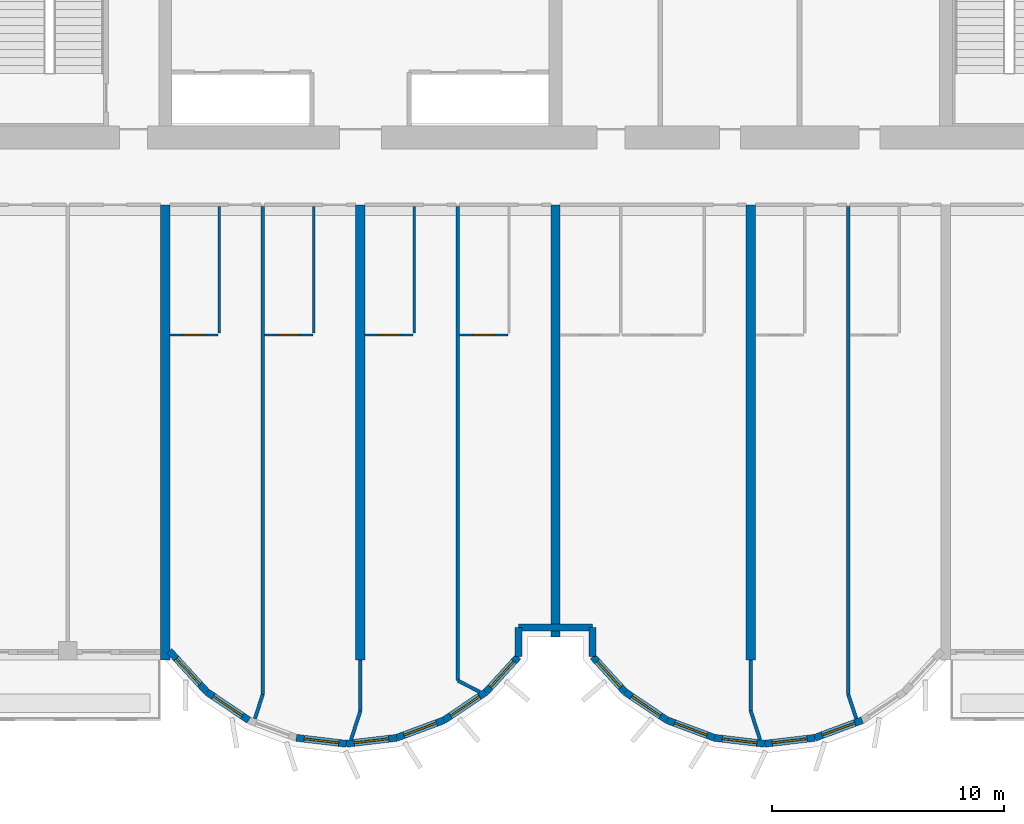
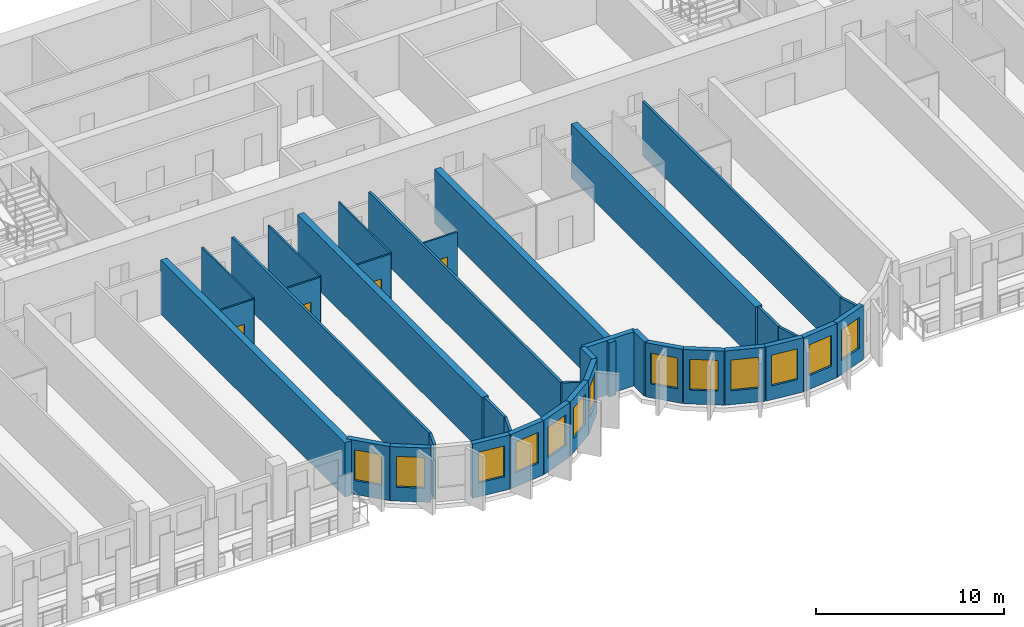
# One storey, part 4 of 14: 37 walls, 13 windows, 4 doors, 17 openings.
"""IFC4 building model written with IfcOpenShell, lengths in metres."""

from ifc_helpers import new_model, si_unit, direction, frame, frame_2d, origin, place, context, subcontext, project, spatial, rectangle, extrude, source, transform, mapped, material, layer, layer_set, type_object, element, fill, save


model = new_model("IFC4")

# Units and contexts
model_context = context("Model", 3, precision=1e-05, world=origin(), true_north=direction((0.0, 1.0)))
body_context = subcontext(model_context, "Body", "Model", "MODEL_VIEW")
ifc_project = project(units=[si_unit("LENGTHUNIT", "METRE"), si_unit("AREAUNIT", "SQUARE_METRE"), si_unit("VOLUMEUNIT", "CUBIC_METRE"), si_unit("PLANEANGLEUNIT", "RADIAN"), si_unit("MASSUNIT", "GRAM", prefix="KILO")], contexts=[model_context])

# Site, building, storey
site_placement = place(None, origin())
site = spatial("IfcSite", under=ifc_project, at=site_placement, CompositionType="ELEMENT")
building_placement = place(site_placement, origin())
building = spatial("IfcBuilding", under=site, at=building_placement, Name="Vanashikhar Sky Hotel", CompositionType="ELEMENT")
storey_placement = place(building_placement, frame((0.0, 0.0, 73.39990234375)))
storey = spatial("IfcBuildingStorey", under=building, at=storey_placement, Name="L17", CompositionType="ELEMENT", Elevation=73.39990234375)

# Walls
ifc_material_1 = material(Name="Concrete M80", Category="concrete")
ifc_layer_1 = layer(ifc_material_1, 0.39990234375)
ifc_layer_set_1 = layer_set([ifc_layer_1], Name="RC shear wall 400 Concrete M80")
wall_type_1 = type_object("IfcWallType", Name="RC shear wall 400 Concrete M80", PredefinedType="SHEAR", material=ifc_layer_set_1)
shared_shape_1 = source(origin(), body_context, "Body", "SweptSolid", [
    extrude(rectangle(XDim=19.60009765625, YDim=0.39990234375, at=frame_2d((9.800048828125, 0.0))), origin(), (0.0, 0.0, 1.0), 3.52001953125),
])
for number, where, z_axis, x_axis, name in (
    (1, (33.60009765625, 0.0, 0.0), (0.0, 0.0, 1.0), (0.0, 1.0, 0.0), "CW-L17-XW05-1"),
    (2, (42.0, 0.0, 0.0), (0.0, 0.0, 1.0), (0.0, 1.0, 0.0), "CW-L17-XW06-1"),
    (3, (58.800048828125, 0.0, 0.0), (0.0, 0.0, 1.0), (0.0, 1.0, 0.0), "CW-L17-XW08-1"),
):
    element("IfcWall", number, at=place(storey_placement, frame(where, z_axis=z_axis, x_axis=x_axis)), inside=storey, type_object=wall_type_1, Name=name, PredefinedType="SHEAR", context=body_context, shape_type="MappedRepresentation", body=[
        mapped(shared_shape_1, transform((0.0, 0.0, 0.0), scale=1.0)),
    ])
shared_shape_2 = source(origin(), body_context, "Body", "SweptSolid", [
    extrude(rectangle(XDim=18.60009765625, YDim=0.39990234375, at=frame_2d((9.300048828125, 0.0))), origin(), (0.0, 0.0, 1.0), 3.52001953125),
])
wall_1_placement = place(storey_placement, frame((50.39990234375, 1.0, 0.0), z_axis=(0.0, 0.0, 1.0), x_axis=(0.0, 1.0, 0.0)))
element("IfcWall", 4, at=wall_1_placement, inside=storey, type_object=wall_type_1, Name="CW-L17-XW07-1", PredefinedType="SHEAR", context=body_context, shape_type="MappedRepresentation", body=[
    mapped(shared_shape_2, transform((0.0, 0.0, 0.0), scale=1.0)),
])

# Wall, opening, window
ifc_material_2 = material(Name="Concrete M50", Category="concrete")
ifc_layer_2 = layer(ifc_material_2, 0.300048828125)
ifc_layer_set_2 = layer_set([ifc_layer_2], Name="Lobe wall 300")
wall_type_2 = type_object("IfcWallType", Name="Lobe wall 300", PredefinedType="SOLIDWALL", material=ifc_layer_set_2)
shared_shape_3 = source(origin(), body_context, "Body", "SweptSolid", [
    extrude(rectangle(XDim=2.398193359375, YDim=0.300048828125, at=frame_2d((1.19921875, 0.0))), origin(), (0.0, 0.0, 1.0), 3.52001953125),
])
wall_2_placement = place(storey_placement, frame((33.776123046875, 0.39990234375, 0.0), z_axis=(0.0, 0.0, 1.0), x_axis=(0.675374189419, -0.737475222815, 0.0)))
wall_2 = element("IfcWall", 5, at=wall_2_placement, inside=storey, type_object=wall_type_2, Name="Lobe wall", PredefinedType="SOLIDWALL", context=body_context, shape_type="MappedRepresentation", body=[
    mapped(shared_shape_3, transform((0.0, 0.0, 0.0), scale=1.0)),
])
shared_shape_4 = source(origin(), body_context, "Body", "SweptSolid", [
    extrude(rectangle(XDim=1.5, YDim=2.0, at=frame_2d((0.75, 1.0))), frame((0.0, 0.16015625, 0.0), z_axis=(0.0, -1.0, 0.0), x_axis=(1.0, 0.0, 0.0)), (0.0, 0.0, 1.0), 0.320068359375),
])
opening_1_placement = place(wall_2_placement, frame((0.44921875, 0.0, 0.89990234375)))
opening_1 = element("IfcOpeningElement", 6, at=opening_1_placement, cuts=wall_2, Name="Opening WN-2", PredefinedType="OPENING", context=body_context, shape_type="MappedRepresentation", body=[
    mapped(shared_shape_4, transform((0.0, 0.0, 0.0), scale=1.0)),
])
ifc_material_3 = material(Name="Glass", Category="glass")
window_type = type_object("IfcWindowType", Name="Lobe window 1500 x 2000", PartitioningType="SINGLE_PANEL", PredefinedType="WINDOW", material=ifc_material_3)
shared_shape_5 = source(origin(), body_context, "Body", "SweptSolid", [
    extrude(rectangle(XDim=1.5, YDim=2.0, at=frame_2d((0.75, 1.0))), frame((0.0, 0.030029296875, 0.0), z_axis=(0.0, -1.0, 0.0), x_axis=(1.0, 0.0, 0.0)), (0.0, 0.0, 1.0), 0.06005859375),
])
window_1_placement = place(opening_1_placement, origin())
window_1 = element("IfcWindow", 7, at=window_1_placement, inside=storey, type_object=window_type, Name="Window WN-2", OverallHeight=2.0, OverallWidth=1.5, PartitioningType="SINGLE_PANEL", PredefinedType="WINDOW", context=body_context, shape_type="MappedRepresentation", body=[
    mapped(shared_shape_5, transform((0.0, 0.0, 0.0), scale=1.0)),
])
fill(opening_1, window_1)

shared_shape_6 = source(origin(), body_context, "Body", "SweptSolid", [
    extrude(rectangle(XDim=2.17578125, YDim=0.300048828125, at=frame_2d((1.087890625, 0.0))), origin(), (0.0, 0.0, 1.0), 3.52001953125),
])
wall_3_placement = place(storey_placement, frame((35.395751953125, -1.36865234375, 0.0), z_axis=(0.0, 0.0, 1.0), x_axis=(0.829590746428, -0.558371913192, 0.0)))
wall_3 = element("IfcWall", 8, at=wall_3_placement, inside=storey, type_object=wall_type_2, Name="Lobe wall", PredefinedType="SOLIDWALL", context=body_context, shape_type="MappedRepresentation", body=[
    mapped(shared_shape_6, transform((0.0, 0.0, 0.0), scale=1.0)),
])
opening_2_placement = place(wall_3_placement, frame((0.337890625, 0.0, 0.89990234375)))
opening_2 = element("IfcOpeningElement", 9, at=opening_2_placement, cuts=wall_3, Name="Opening WN-2", PredefinedType="OPENING", context=body_context, shape_type="MappedRepresentation", body=[
    mapped(shared_shape_4, transform((0.0, 0.0, 0.0), scale=1.0)),
])
window_2_placement = place(opening_2_placement, origin())
window_2 = element("IfcWindow", 10, at=window_2_placement, inside=storey, type_object=window_type, Name="Window WN-2", OverallHeight=2.0, OverallWidth=1.5, PartitioningType="SINGLE_PANEL", PredefinedType="WINDOW", context=body_context, shape_type="MappedRepresentation", body=[
    mapped(shared_shape_5, transform((0.0, 0.0, 0.0), scale=1.0)),
])
fill(opening_2, window_2)

wall_4_placement = place(storey_placement, frame((45.59912109375, -2.58349609375, 0.0), z_axis=(0.0, 0.0, 1.0), x_axis=(0.829625727223, 0.558319937607, 0.0)))
wall_4 = element("IfcWall", 11, at=wall_4_placement, inside=storey, type_object=wall_type_2, Name="Lobe wall", PredefinedType="SOLIDWALL", context=body_context, shape_type="MappedRepresentation", body=[
    mapped(shared_shape_6, transform((0.0, 0.0, 0.0), scale=1.0)),
])
opening_3_placement = place(wall_4_placement, frame((0.337890625, 0.0, 0.89990234375)))
opening_3 = element("IfcOpeningElement", 12, at=opening_3_placement, cuts=wall_4, Name="Opening WN-2", PredefinedType="OPENING", context=body_context, shape_type="MappedRepresentation", body=[
    mapped(shared_shape_4, transform((0.0, 0.0, 0.0), scale=1.0)),
])
window_3_placement = place(opening_3_placement, origin())
window_3 = element("IfcWindow", 13, at=window_3_placement, inside=storey, type_object=window_type, Name="Window WN-2", OverallHeight=2.0, OverallWidth=1.5, PartitioningType="SINGLE_PANEL", PredefinedType="WINDOW", context=body_context, shape_type="MappedRepresentation", body=[
    mapped(shared_shape_5, transform((0.0, 0.0, 0.0), scale=1.0)),
])
fill(opening_3, window_3)

wall_5_placement = place(storey_placement, frame((53.395751953125, -1.36865234375, 0.0), z_axis=(0.0, 0.0, 1.0), x_axis=(0.829590746428, -0.558371913192, 0.0)))
wall_5 = element("IfcWall", 14, at=wall_5_placement, inside=storey, type_object=wall_type_2, Name="Lobe wall", PredefinedType="SOLIDWALL", context=body_context, shape_type="MappedRepresentation", body=[
    mapped(shared_shape_6, transform((0.0, 0.0, 0.0), scale=1.0)),
])
opening_4_placement = place(wall_5_placement, frame((0.337890625, 0.0, 0.89990234375)))
opening_4 = element("IfcOpeningElement", 15, at=opening_4_placement, cuts=wall_5, Name="Opening WN-2", PredefinedType="OPENING", context=body_context, shape_type="MappedRepresentation", body=[
    mapped(shared_shape_4, transform((0.0, 0.0, 0.0), scale=1.0)),
])
window_4_placement = place(opening_4_placement, origin())
window_4 = element("IfcWindow", 16, at=window_4_placement, inside=storey, type_object=window_type, Name="Window WN-2", OverallHeight=2.0, OverallWidth=1.5, PartitioningType="SINGLE_PANEL", PredefinedType="WINDOW", context=body_context, shape_type="MappedRepresentation", body=[
    mapped(shared_shape_5, transform((0.0, 0.0, 0.0), scale=1.0)),
])
fill(opening_4, window_4)

wall_6_placement = place(storey_placement, frame((55.20068359375, -2.58349609375, 0.0), z_axis=(0.0, 0.0, 1.0), x_axis=(0.93754555999, -0.347862505801, 0.0)))
wall_6 = element("IfcWall", 17, at=wall_6_placement, inside=storey, type_object=wall_type_2, Name="Lobe wall", PredefinedType="SOLIDWALL", context=body_context, shape_type="MappedRepresentation", body=[
    mapped(shared_shape_6, transform((0.0, 0.0, 0.0), scale=1.0)),
])
opening_5_placement = place(wall_6_placement, frame((0.337890625, 0.0, 0.89990234375)))
opening_5 = element("IfcOpeningElement", 18, at=opening_5_placement, cuts=wall_6, Name="Opening WN-2", PredefinedType="OPENING", context=body_context, shape_type="MappedRepresentation", body=[
    mapped(shared_shape_4, transform((0.0, 0.0, 0.0), scale=1.0)),
])
window_5_placement = place(opening_5_placement, origin())
window_5 = element("IfcWindow", 19, at=window_5_placement, inside=storey, type_object=window_type, Name="Window WN-2", OverallHeight=2.0, OverallWidth=1.5, PartitioningType="SINGLE_PANEL", PredefinedType="WINDOW", context=body_context, shape_type="MappedRepresentation", body=[
    mapped(shared_shape_5, transform((0.0, 0.0, 0.0), scale=1.0)),
])
fill(opening_5, window_5)

shared_shape_7 = source(origin(), body_context, "Body", "SweptSolid", [
    extrude(rectangle(XDim=2.174560546875, YDim=0.300048828125, at=frame_2d((1.08740234375, 0.0))), origin(), (0.0, 0.0, 1.0), 3.52001953125),
])
wall_7_placement = place(storey_placement, frame((39.240478515625, -3.34033203125, 0.0), z_axis=(0.0, 0.0, 1.0), x_axis=(0.993001132889, -0.118104826659, 0.0)))
wall_7 = element("IfcWall", 20, at=wall_7_placement, inside=storey, type_object=wall_type_2, Name="Lobe wall", PredefinedType="SOLIDWALL", context=body_context, shape_type="MappedRepresentation", body=[
    mapped(shared_shape_7, transform((0.0, 0.0, 0.0), scale=1.0)),
])
opening_6_placement = place(wall_7_placement, frame((0.33740234375, 0.0, 0.89990234375)))
opening_6 = element("IfcOpeningElement", 21, at=opening_6_placement, cuts=wall_7, Name="Opening WN-2", PredefinedType="OPENING", context=body_context, shape_type="MappedRepresentation", body=[
    mapped(shared_shape_4, transform((0.0, 0.0, 0.0), scale=1.0)),
])
window_6_placement = place(opening_6_placement, origin())
window_6 = element("IfcWindow", 22, at=window_6_placement, inside=storey, type_object=window_type, Name="Window WN-2", OverallHeight=2.0, OverallWidth=1.5, PartitioningType="SINGLE_PANEL", PredefinedType="WINDOW", context=body_context, shape_type="MappedRepresentation", body=[
    mapped(shared_shape_5, transform((0.0, 0.0, 0.0), scale=1.0)),
])
fill(opening_6, window_6)

wall_8_placement = place(storey_placement, frame((57.240478515625, -3.34033203125, 0.0), z_axis=(0.0, 0.0, 1.0), x_axis=(0.993001132889, -0.118104826659, 0.0)))
wall_8 = element("IfcWall", 23, at=wall_8_placement, inside=storey, type_object=wall_type_2, Name="Lobe wall", PredefinedType="SOLIDWALL", context=body_context, shape_type="MappedRepresentation", body=[
    mapped(shared_shape_7, transform((0.0, 0.0, 0.0), scale=1.0)),
])
opening_7_placement = place(wall_8_placement, frame((0.33740234375, 0.0, 0.89990234375)))
opening_7 = element("IfcOpeningElement", 24, at=opening_7_placement, cuts=wall_8, Name="Opening WN-2", PredefinedType="OPENING", context=body_context, shape_type="MappedRepresentation", body=[
    mapped(shared_shape_4, transform((0.0, 0.0, 0.0), scale=1.0)),
])
window_7_placement = place(opening_7_placement, origin())
window_7 = element("IfcWindow", 25, at=window_7_placement, inside=storey, type_object=window_type, Name="Window WN-2", OverallHeight=2.0, OverallWidth=1.5, PartitioningType="SINGLE_PANEL", PredefinedType="WINDOW", context=body_context, shape_type="MappedRepresentation", body=[
    mapped(shared_shape_5, transform((0.0, 0.0, 0.0), scale=1.0)),
])
fill(opening_7, window_7)

shared_shape_8 = source(origin(), body_context, "Body", "SweptSolid", [
    extrude(rectangle(XDim=2.1748046875, YDim=0.300048828125, at=frame_2d((1.08740234375, 0.0))), origin(), (0.0, 0.0, 1.0), 3.52001953125),
])
wall_9_placement = place(storey_placement, frame((41.39990234375, -3.59716796875, 0.0), z_axis=(0.0, 0.0, 1.0), x_axis=(0.993002698611, 0.118091661648, 0.0)))
wall_9 = element("IfcWall", 26, at=wall_9_placement, inside=storey, type_object=wall_type_2, Name="Lobe wall", PredefinedType="SOLIDWALL", context=body_context, shape_type="MappedRepresentation", body=[
    mapped(shared_shape_8, transform((0.0, 0.0, 0.0), scale=1.0)),
])
opening_8_placement = place(wall_9_placement, frame((0.33740234375, 0.0, 0.89990234375)))
opening_8 = element("IfcOpeningElement", 27, at=opening_8_placement, cuts=wall_9, Name="Opening WN-2", PredefinedType="OPENING", context=body_context, shape_type="MappedRepresentation", body=[
    mapped(shared_shape_4, transform((0.0, 0.0, 0.0), scale=1.0)),
])
window_8_placement = place(opening_8_placement, origin())
window_8 = element("IfcWindow", 28, at=window_8_placement, inside=storey, type_object=window_type, Name="Window WN-2", OverallHeight=2.0, OverallWidth=1.5, PartitioningType="SINGLE_PANEL", PredefinedType="WINDOW", context=body_context, shape_type="MappedRepresentation", body=[
    mapped(shared_shape_5, transform((0.0, 0.0, 0.0), scale=1.0)),
])
fill(opening_8, window_8)

wall_10_placement = place(storey_placement, frame((59.39990234375, -3.59716796875, 0.0), z_axis=(0.0, 0.0, 1.0), x_axis=(0.993002698611, 0.118091661648, 0.0)))
wall_10 = element("IfcWall", 29, at=wall_10_placement, inside=storey, type_object=wall_type_2, Name="Lobe wall", PredefinedType="SOLIDWALL", context=body_context, shape_type="MappedRepresentation", body=[
    mapped(shared_shape_8, transform((0.0, 0.0, 0.0), scale=1.0)),
])
opening_9_placement = place(wall_10_placement, frame((0.33740234375, 0.0, 0.89990234375)))
opening_9 = element("IfcOpeningElement", 30, at=opening_9_placement, cuts=wall_10, Name="Opening WN-2", PredefinedType="OPENING", context=body_context, shape_type="MappedRepresentation", body=[
    mapped(shared_shape_4, transform((0.0, 0.0, 0.0), scale=1.0)),
])
window_9_placement = place(opening_9_placement, origin())
window_9 = element("IfcWindow", 31, at=window_9_placement, inside=storey, type_object=window_type, Name="Window WN-2", OverallHeight=2.0, OverallWidth=1.5, PartitioningType="SINGLE_PANEL", PredefinedType="WINDOW", context=body_context, shape_type="MappedRepresentation", body=[
    mapped(shared_shape_5, transform((0.0, 0.0, 0.0), scale=1.0)),
])
fill(opening_9, window_9)

shared_shape_9 = source(origin(), body_context, "Body", "SweptSolid", [
    extrude(rectangle(XDim=2.175537109375, YDim=0.300048828125, at=frame_2d((1.087890625, 0.0))), origin(), (0.0, 0.0, 1.0), 3.52001953125),
])
wall_11_placement = place(storey_placement, frame((43.5595703125, -3.34033203125, 0.0), z_axis=(0.0, 0.0, 1.0), x_axis=(0.937531979054, 0.347899106424, 0.0)))
wall_11 = element("IfcWall", 32, at=wall_11_placement, inside=storey, type_object=wall_type_2, Name="Lobe wall", PredefinedType="SOLIDWALL", context=body_context, shape_type="MappedRepresentation", body=[
    mapped(shared_shape_9, transform((0.0, 0.0, 0.0), scale=1.0)),
])
opening_10_placement = place(wall_11_placement, frame((0.337890625, 0.0, 0.89990234375)))
opening_10 = element("IfcOpeningElement", 33, at=opening_10_placement, cuts=wall_11, Name="Opening WN-2", PredefinedType="OPENING", context=body_context, shape_type="MappedRepresentation", body=[
    mapped(shared_shape_4, transform((0.0, 0.0, 0.0), scale=1.0)),
])
window_10_placement = place(opening_10_placement, origin())
window_10 = element("IfcWindow", 34, at=window_10_placement, inside=storey, type_object=window_type, Name="Window WN-2", OverallHeight=2.0, OverallWidth=1.5, PartitioningType="SINGLE_PANEL", PredefinedType="WINDOW", context=body_context, shape_type="MappedRepresentation", body=[
    mapped(shared_shape_5, transform((0.0, 0.0, 0.0), scale=1.0)),
])
fill(opening_10, window_10)

wall_12_placement = place(storey_placement, frame((61.5595703125, -3.34033203125, 0.0), z_axis=(0.0, 0.0, 1.0), x_axis=(0.937531979054, 0.347899106424, 0.0)))
wall_12 = element("IfcWall", 35, at=wall_12_placement, inside=storey, type_object=wall_type_2, Name="Lobe wall", PredefinedType="SOLIDWALL", context=body_context, shape_type="MappedRepresentation", body=[
    mapped(shared_shape_9, transform((0.0, 0.0, 0.0), scale=1.0)),
])
opening_11_placement = place(wall_12_placement, frame((0.337890625, 0.0, 0.89990234375)))
opening_11 = element("IfcOpeningElement", 36, at=opening_11_placement, cuts=wall_12, Name="Opening WN-2", PredefinedType="OPENING", context=body_context, shape_type="MappedRepresentation", body=[
    mapped(shared_shape_4, transform((0.0, 0.0, 0.0), scale=1.0)),
])
window_11_placement = place(opening_11_placement, origin())
window_11 = element("IfcWindow", 37, at=window_11_placement, inside=storey, type_object=window_type, Name="Window WN-2", OverallHeight=2.0, OverallWidth=1.5, PartitioningType="SINGLE_PANEL", PredefinedType="WINDOW", context=body_context, shape_type="MappedRepresentation", body=[
    mapped(shared_shape_5, transform((0.0, 0.0, 0.0), scale=1.0)),
])
fill(opening_11, window_11)

shared_shape_10 = source(origin(), body_context, "Body", "SweptSolid", [
    extrude(rectangle(XDim=2.066650390625, YDim=0.300048828125, at=frame_2d((1.033203125, 0.0))), origin(), (0.0, 0.0, 1.0), 3.52001953125),
])
wall_13_placement = place(storey_placement, frame((47.404296875, -1.36865234375, 0.0), z_axis=(0.0, 0.0, 1.0), x_axis=(0.675355439877, 0.737492393065, 0.0)))
wall_13 = element("IfcWall", 38, at=wall_13_placement, inside=storey, type_object=wall_type_2, Name="Lobe wall", PredefinedType="SOLIDWALL", context=body_context, shape_type="MappedRepresentation", body=[
    mapped(shared_shape_10, transform((0.0, 0.0, 0.0), scale=1.0)),
])
opening_12_placement = place(wall_13_placement, frame((0.283447265625, 0.0, 0.89990234375)))
opening_12 = element("IfcOpeningElement", 39, at=opening_12_placement, cuts=wall_13, Name="Opening WN-2", PredefinedType="OPENING", context=body_context, shape_type="MappedRepresentation", body=[
    mapped(shared_shape_4, transform((0.0, 0.0, 0.0), scale=1.0)),
])
window_12_placement = place(opening_12_placement, origin())
window_12 = element("IfcWindow", 40, at=window_12_placement, inside=storey, type_object=window_type, Name="Window WN-2", OverallHeight=2.0, OverallWidth=1.5, PartitioningType="SINGLE_PANEL", PredefinedType="WINDOW", context=body_context, shape_type="MappedRepresentation", body=[
    mapped(shared_shape_5, transform((0.0, 0.0, 0.0), scale=1.0)),
])
fill(opening_12, window_12)

wall_14_placement = place(storey_placement, frame((52.0, 0.155517578125, 0.0), z_axis=(0.0, 0.0, 1.0), x_axis=(0.675355439877, -0.737492393065, 0.0)))
wall_14 = element("IfcWall", 41, at=wall_14_placement, inside=storey, type_object=wall_type_2, Name="Lobe wall", PredefinedType="SOLIDWALL", context=body_context, shape_type="MappedRepresentation", body=[
    mapped(shared_shape_10, transform((0.0, 0.0, 0.0), scale=1.0)),
])
opening_13_placement = place(wall_14_placement, frame((0.283447265625, 0.0, 0.89990234375)))
opening_13 = element("IfcOpeningElement", 42, at=opening_13_placement, cuts=wall_14, Name="Opening WN-2", PredefinedType="OPENING", context=body_context, shape_type="MappedRepresentation", body=[
    mapped(shared_shape_4, transform((0.0, 0.0, 0.0), scale=1.0)),
])
window_13_placement = place(opening_13_placement, origin())
window_13 = element("IfcWindow", 43, at=window_13_placement, inside=storey, type_object=window_type, Name="Window WN-2", OverallHeight=2.0, OverallWidth=1.5, PartitioningType="SINGLE_PANEL", PredefinedType="WINDOW", context=body_context, shape_type="MappedRepresentation", body=[
    mapped(shared_shape_5, transform((0.0, 0.0, 0.0), scale=1.0)),
])
fill(opening_13, window_13)

# Walls
shared_shape_11 = source(origin(), body_context, "Body", "SweptSolid", [
    extrude(rectangle(XDim=1.244384765625, YDim=0.300048828125, at=frame_2d((0.6220703125, 0.0))), origin(), (0.0, 0.0, 1.0), 3.52001953125),
])
for number, where, z_axis, x_axis, name in (
    (44, (48.800048828125, 0.155517578125, 0.0), (0.0, 0.0, 1.0), (0.0, 1.0, 0.0), "Groove wall"),
    (45, (52.0, 1.39990234375, 0.0), (0.0, 0.0, 1.0), (0.0, -1.0, 0.0), "Groove wall"),
):
    element("IfcWall", number, at=place(storey_placement, frame(where, z_axis=z_axis, x_axis=x_axis)), inside=storey, type_object=wall_type_2, Name=name, PredefinedType="SOLIDWALL", context=body_context, shape_type="MappedRepresentation", body=[
        mapped(shared_shape_11, transform((0.0, 0.0, 0.0), scale=1.0)),
    ])
shared_shape_12 = source(origin(), body_context, "Body", "SweptSolid", [
    extrude(rectangle(XDim=3.199951171875, YDim=0.300048828125, at=frame_2d((1.60009765625, 0.0))), origin(), (0.0, 0.0, 1.0), 3.52001953125),
])
wall_15_placement = place(storey_placement, frame((48.800048828125, 1.39990234375, 0.0), z_axis=(0.0, 0.0, 1.0), x_axis=(1.0, 0.0, 0.0)))
element("IfcWall", 46, at=wall_15_placement, inside=storey, type_object=wall_type_2, Name="Groove wall", PredefinedType="SOLIDWALL", context=body_context, shape_type="MappedRepresentation", body=[
    mapped(shared_shape_12, transform((0.0, 0.0, 0.0), scale=1.0)),
])
ifc_material_4 = material(Name="Gypsum plasterboard partition")
ifc_layer_3 = layer(ifc_material_4, 0.14990234375)
ifc_layer_set_3 = layer_set([ifc_layer_3], Name="Corridor and demising partition 150")
wall_type_3 = type_object("IfcWallType", Name="Corridor and demising partition 150", PredefinedType="PARTITIONING", material=ifc_layer_set_3)
shared_shape_13 = source(origin(), body_context, "Body", "SweptSolid", [
    extrude(rectangle(XDim=20.997802734375, YDim=0.14990234375, at=frame_2d((10.4990234375, 0.0))), origin(), (0.0, 0.0, 1.0), 3.52001953125),
])
for number, where, z_axis, x_axis, name in (
    (47, (37.800048828125, -1.472900390625, 0.0), (0.0, 0.0, 1.0), (0.0, 1.0, 0.0), "W-L17-PW029"),
    (48, (63.0, -1.472900390625, 0.0), (0.0, 0.0, 1.0), (0.0, 1.0, 0.0), "W-L17-PW048"),
):
    element("IfcWall", number, at=place(storey_placement, frame(where, z_axis=z_axis, x_axis=x_axis)), inside=storey, type_object=wall_type_3, Name=name, PredefinedType="PARTITIONING", context=body_context, shape_type="MappedRepresentation", body=[
        mapped(shared_shape_13, transform((0.0, 0.0, 0.0), scale=1.0)),
    ])
shared_shape_14 = source(origin(), body_context, "Body", "SweptSolid", [
    extrude(rectangle(XDim=20.406005859375, YDim=0.14990234375, at=frame_2d((10.203125, 0.0))), origin(), (0.0, 0.0, 1.0), 3.52001953125),
])
wall_16_placement = place(storey_placement, frame((46.199951171875, -0.881103515625, 0.0), z_axis=(0.0, 0.0, 1.0), x_axis=(0.0, 1.0, 0.0)))
element("IfcWall", 49, at=wall_16_placement, inside=storey, type_object=wall_type_3, Name="W-L17-PW036", PredefinedType="PARTITIONING", context=body_context, shape_type="MappedRepresentation", body=[
    mapped(shared_shape_14, transform((0.0, 0.0, 0.0), scale=1.0)),
])
shared_shape_15 = source(origin(), body_context, "Body", "SweptSolid", [
    extrude(rectangle(XDim=2.177978515625, YDim=0.14990234375, at=frame_2d((1.0888671875, 0.0))), origin(), (0.0, 0.0, 1.0), 3.52001953125),
])
for number, where, z_axis, x_axis, name in (
    (50, (42.0, -2.177978515625, 0.0), (0.0, 0.0, 1.0), (0.0, 1.0, 0.0), "W-L17-PW069"),
    (51, (58.800048828125, -2.177978515625, 0.0), (0.0, 0.0, 1.0), (0.0, 1.0, 0.0), "W-L17-PW070"),
):
    element("IfcWall", number, at=place(storey_placement, frame(where, z_axis=z_axis, x_axis=x_axis)), inside=storey, type_object=wall_type_3, Name=name, PredefinedType="PARTITIONING", context=body_context, shape_type="MappedRepresentation", body=[
        mapped(shared_shape_15, transform((0.0, 0.0, 0.0), scale=1.0)),
    ])
shared_shape_16 = source(origin(), body_context, "Body", "SweptSolid", [
    extrude(rectangle(XDim=1.100830078125, YDim=0.14990234375, at=frame_2d((0.55029296875, 0.0))), origin(), (0.0, 0.0, 1.0), 3.52001953125),
])
for number, where, z_axis, x_axis, name in (
    (52, (37.45703125, -2.51904296875, 0.0), (0.0, 0.0, 1.0), (0.311567081539, 0.950224159712, 0.0), "W-L17-PW029B0"),
    (53, (63.343017578125, -2.51904296875, 0.0), (0.0, 0.0, 1.0), (-0.311567081539, 0.950224159712, 0.0), "W-L17-PW048B0"),
):
    element("IfcWall", number, at=place(storey_placement, frame(where, z_axis=z_axis, x_axis=x_axis)), inside=storey, type_object=wall_type_3, Name=name, PredefinedType="PARTITIONING", context=body_context, shape_type="MappedRepresentation", body=[
        mapped(shared_shape_16, transform((0.0, 0.0, 0.0), scale=1.0)),
    ])
shared_shape_17 = source(origin(), body_context, "Body", "SweptSolid", [
    extrude(rectangle(XDim=1.0576171875, YDim=0.14990234375, at=frame_2d((0.52880859375, 0.0))), origin(), (0.0, 0.0, 1.0), 3.52001953125),
])
wall_17_placement = place(storey_placement, frame((47.139892578125, -1.365966796875, 0.0), z_axis=(0.0, 0.0, 1.0), x_axis=(-0.888723819054, 0.458442988218, 0.0)))
element("IfcWall", 54, at=wall_17_placement, inside=storey, type_object=wall_type_3, Name="W-L17-PW036B0", PredefinedType="PARTITIONING", context=body_context, shape_type="MappedRepresentation", body=[
    mapped(shared_shape_17, transform((0.0, 0.0, 0.0), scale=1.0)),
])
shared_shape_18 = source(origin(), body_context, "Body", "SweptSolid", [
    extrude(rectangle(XDim=1.308349609375, YDim=0.14990234375, at=frame_2d((0.654296875, 0.0))), origin(), (0.0, 0.0, 1.0), 3.52001953125),
])
for number, where, z_axis, x_axis, name in (
    (55, (41.597900390625, -3.423095703125, 0.0), (0.0, 0.0, 1.0), (0.307313512187, 0.951608325535, 0.0), "W-L17-PW069B0"),
    (56, (59.201904296875, -3.423095703125, 0.0), (0.0, 0.0, 1.0), (-0.307144529633, 0.951662880392, 0.0), "W-L17-PW070B0"),
):
    element("IfcWall", number, at=place(storey_placement, frame(where, z_axis=z_axis, x_axis=x_axis)), inside=storey, type_object=wall_type_3, Name=name, PredefinedType="PARTITIONING", context=body_context, shape_type="MappedRepresentation", body=[
        mapped(shared_shape_18, transform((0.0, 0.0, 0.0), scale=1.0)),
    ])

# Wall, opening, door
ifc_layer_4 = layer(ifc_material_4, 0.10009765625)
ifc_layer_set_4 = layer_set([ifc_layer_4], Name="Wet room partition 100")
wall_type_4 = type_object("IfcWallType", Name="Wet room partition 100", PredefinedType="PARTITIONING", material=ifc_layer_set_4)
shared_shape_19 = source(origin(), body_context, "Body", "SweptSolid", [
    extrude(rectangle(XDim=2.074951171875, YDim=0.10009765625, at=frame_2d((1.03759765625, 0.0))), origin(), (0.0, 0.0, 1.0), 3.52001953125),
])
wall_18_placement = place(storey_placement, frame((33.800048828125, 14.0, 0.0), z_axis=(0.0, 0.0, 1.0), x_axis=(1.0, 0.0, 0.0)))
wall_18 = element("IfcWall", 57, at=wall_18_placement, inside=storey, type_object=wall_type_4, Name="W-L17-PW024", PredefinedType="PARTITIONING", context=body_context, shape_type="MappedRepresentation", body=[
    mapped(shared_shape_19, transform((0.0, 0.0, 0.0), scale=1.0)),
])
shared_shape_20 = source(origin(), body_context, "Body", "SweptSolid", [
    extrude(rectangle(XDim=0.89990234375, YDim=2.10009765625, at=frame_2d((0.449951171875, 1.050048828125))), frame((0.0, 0.06005859375, 0.0), z_axis=(0.0, -1.0, 0.0), x_axis=(1.0, 0.0, 0.0)), (0.0, 0.0, 1.0), 0.1201171875),
])
opening_14_placement = place(wall_18_placement, frame((0.5869140625, 0.0, 0.0)))
opening_14 = element("IfcOpeningElement", 58, at=opening_14_placement, cuts=wall_18, Name="Opening D-02", PredefinedType="OPENING", context=body_context, shape_type="MappedRepresentation", body=[
    mapped(shared_shape_20, transform((0.0, 0.0, 0.0), scale=1.0)),
])
ifc_material_5 = material(Name="Timber door", Category="wood")
door_type = type_object("IfcDoorType", Name="Internal door 900", OperationType="NOTDEFINED", PredefinedType="DOOR", material=ifc_material_5)
shared_shape_21 = source(origin(), body_context, "Body", "SweptSolid", [
    extrude(rectangle(XDim=0.89990234375, YDim=2.10009765625, at=frame_2d((0.449951171875, 1.050048828125))), frame((0.0, 0.02490234375, 0.0), z_axis=(0.0, -1.0, 0.0), x_axis=(1.0, 0.0, 0.0)), (0.0, 0.0, 1.0), 0.050048828125),
])
door_1_placement = place(opening_14_placement, origin())
door_1 = element("IfcDoor", 59, at=door_1_placement, inside=storey, type_object=door_type, Name="D-L17-014", OperationType="SINGLE_SWING_RIGHT", OverallHeight=2.10009765625, OverallWidth=0.89990234375, PredefinedType="DOOR", context=body_context, shape_type="MappedRepresentation", body=[
    mapped(shared_shape_21, transform((0.0, 0.0, 0.0), scale=1.0)),
])
fill(opening_14, door_1)

wall_19_placement = place(storey_placement, frame((37.875, 14.0, 0.0), z_axis=(0.0, 0.0, 1.0), x_axis=(1.0, 0.0, 0.0)))
wall_19 = element("IfcWall", 60, at=wall_19_placement, inside=storey, type_object=wall_type_4, Name="W-L17-PW027", PredefinedType="PARTITIONING", context=body_context, shape_type="MappedRepresentation", body=[
    mapped(shared_shape_19, transform((0.0, 0.0, 0.0), scale=1.0)),
])
opening_15_placement = place(wall_19_placement, frame((0.5869140625, 0.0, 0.0)))
opening_15 = element("IfcOpeningElement", 61, at=opening_15_placement, cuts=wall_19, Name="Opening D-02", PredefinedType="OPENING", context=body_context, shape_type="MappedRepresentation", body=[
    mapped(shared_shape_20, transform((0.0, 0.0, 0.0), scale=1.0)),
])
door_2_placement = place(opening_15_placement, origin())
door_2 = element("IfcDoor", 62, at=door_2_placement, inside=storey, type_object=door_type, Name="D-L17-016", OperationType="SINGLE_SWING_RIGHT", OverallHeight=2.10009765625, OverallWidth=0.89990234375, PredefinedType="DOOR", context=body_context, shape_type="MappedRepresentation", body=[
    mapped(shared_shape_21, transform((0.0, 0.0, 0.0), scale=1.0)),
])
fill(opening_15, door_2)

wall_20_placement = place(storey_placement, frame((42.199951171875, 14.0, 0.0), z_axis=(0.0, 0.0, 1.0), x_axis=(1.0, 0.0, 0.0)))
wall_20 = element("IfcWall", 63, at=wall_20_placement, inside=storey, type_object=wall_type_4, Name="W-L17-PW031", PredefinedType="PARTITIONING", context=body_context, shape_type="MappedRepresentation", body=[
    mapped(shared_shape_19, transform((0.0, 0.0, 0.0), scale=1.0)),
])
opening_16_placement = place(wall_20_placement, frame((0.5869140625, 0.0, 0.0)))
opening_16 = element("IfcOpeningElement", 64, at=opening_16_placement, cuts=wall_20, Name="Opening D-02", PredefinedType="OPENING", context=body_context, shape_type="MappedRepresentation", body=[
    mapped(shared_shape_20, transform((0.0, 0.0, 0.0), scale=1.0)),
])
door_3_placement = place(opening_16_placement, origin())
door_3 = element("IfcDoor", 65, at=door_3_placement, inside=storey, type_object=door_type, Name="D-L17-018", OperationType="SINGLE_SWING_RIGHT", OverallHeight=2.10009765625, OverallWidth=0.89990234375, PredefinedType="DOOR", context=body_context, shape_type="MappedRepresentation", body=[
    mapped(shared_shape_21, transform((0.0, 0.0, 0.0), scale=1.0)),
])
fill(opening_16, door_3)

# Walls
shared_shape_22 = source(origin(), body_context, "Body", "SweptSolid", [
    extrude(rectangle(XDim=5.449951171875, YDim=0.10009765625, at=frame_2d((2.72509765625, 0.0))), origin(), (0.0, 0.0, 1.0), 3.52001953125),
])
for number, where, z_axis, x_axis, name in (
    (66, (35.925048828125, 14.074951171875, 0.0), (0.0, 0.0, 1.0), (0.0, 1.0, 0.0), "W-L17-PW023"),
    (67, (40.0, 14.074951171875, 0.0), (0.0, 0.0, 1.0), (0.0, 1.0, 0.0), "W-L17-PW026"),
    (68, (44.324951171875, 14.074951171875, 0.0), (0.0, 0.0, 1.0), (0.0, 1.0, 0.0), "W-L17-PW030"),
):
    element("IfcWall", number, at=place(storey_placement, frame(where, z_axis=z_axis, x_axis=x_axis)), inside=storey, type_object=wall_type_4, Name=name, PredefinedType="PARTITIONING", context=body_context, shape_type="MappedRepresentation", body=[
        mapped(shared_shape_22, transform((0.0, 0.0, 0.0), scale=1.0)),
    ])

# Wall, opening, door
shared_shape_23 = source(origin(), body_context, "Body", "SweptSolid", [
    extrude(rectangle(XDim=2.0751953125, YDim=0.10009765625, at=frame_2d((1.03759765625, 0.0))), origin(), (0.0, 0.0, 1.0), 3.52001953125),
])
wall_21_placement = place(storey_placement, frame((46.27490234375, 14.0, 0.0), z_axis=(0.0, 0.0, 1.0), x_axis=(1.0, 0.0, 0.0)))
wall_21 = element("IfcWall", 69, at=wall_21_placement, inside=storey, type_object=wall_type_4, Name="W-L17-PW034", PredefinedType="PARTITIONING", context=body_context, shape_type="MappedRepresentation", body=[
    mapped(shared_shape_23, transform((0.0, 0.0, 0.0), scale=1.0)),
])
opening_17_placement = place(wall_21_placement, frame((0.587890625, 0.0, 0.0)))
opening_17 = element("IfcOpeningElement", 70, at=opening_17_placement, cuts=wall_21, Name="Opening D-02", PredefinedType="OPENING", context=body_context, shape_type="MappedRepresentation", body=[
    mapped(shared_shape_20, transform((0.0, 0.0, 0.0), scale=1.0)),
])
door_4_placement = place(opening_17_placement, origin())
door_4 = element("IfcDoor", 71, at=door_4_placement, inside=storey, type_object=door_type, Name="D-L17-020", OperationType="SINGLE_SWING_RIGHT", OverallHeight=2.10009765625, OverallWidth=0.89990234375, PredefinedType="DOOR", context=body_context, shape_type="MappedRepresentation", body=[
    mapped(shared_shape_21, transform((0.0, 0.0, 0.0), scale=1.0)),
])
fill(opening_17, door_4)

save(model, "model.ifc")
